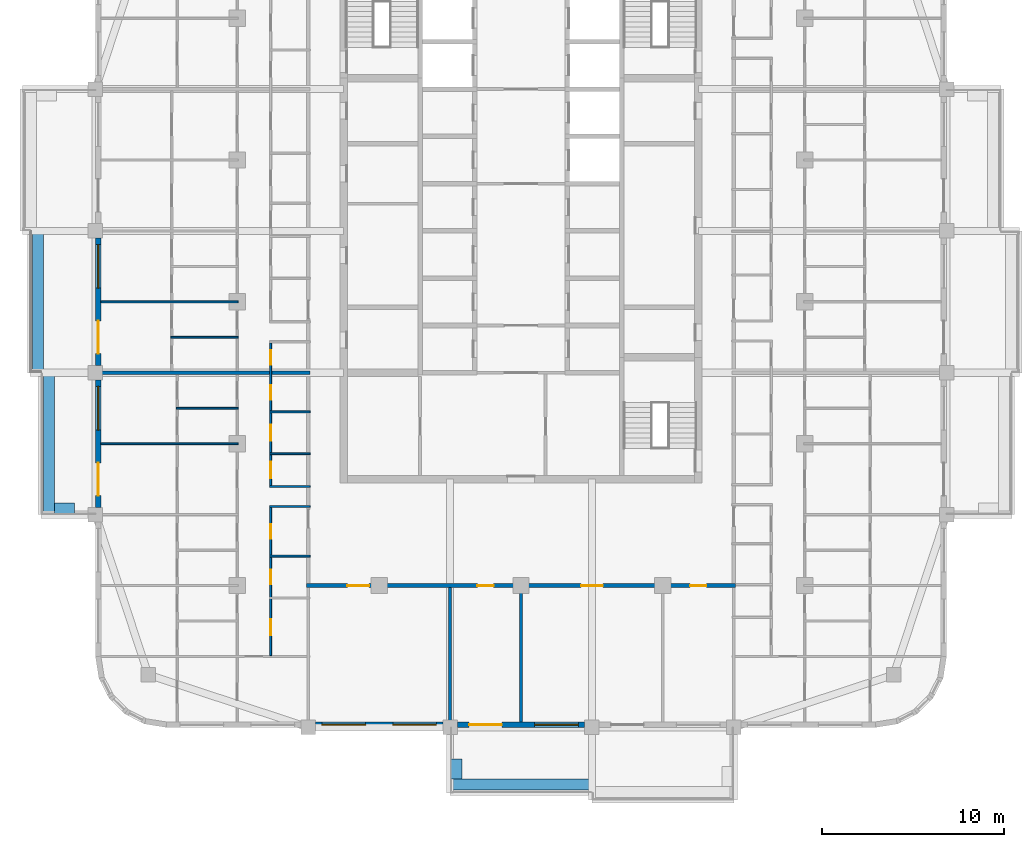
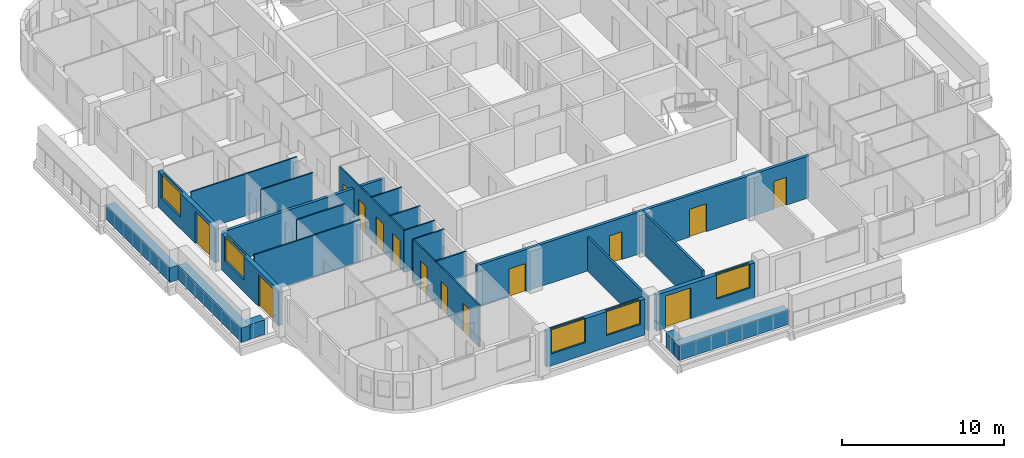
# One storey, part 3 of 16: 24 walls, 14 doors, 5 windows, 19 openings.
"""IFC4 building model written with IfcOpenShell, lengths in metres."""

from ifc_helpers import new_model, si_unit, direction, frame, frame_2d, origin, place, context, subcontext, project, spatial, rectangle, extrude, material, layer, layer_set, type_object, element, fill, save


model = new_model("IFC4")

# Units and contexts
model_context = context("Model", 3, precision=1e-05, world=origin(), true_north=direction((0.0, 1.0)))
body_context = subcontext(model_context, "Body", "Model", "MODEL_VIEW")
ifc_project = project(units=[si_unit("LENGTHUNIT", "METRE"), si_unit("AREAUNIT", "SQUARE_METRE"), si_unit("VOLUMEUNIT", "CUBIC_METRE"), si_unit("PLANEANGLEUNIT", "RADIAN"), si_unit("MASSUNIT", "GRAM", prefix="KILO")], contexts=[model_context])

# Site, building, storey
site_placement = place(None, origin())
site = spatial("IfcSite", under=ifc_project, at=site_placement, CompositionType="ELEMENT")
building_placement = place(site_placement, origin())
building = spatial("IfcBuilding", under=site, at=building_placement, Name="Ludao Terraces", CompositionType="ELEMENT")
storey_placement = place(building_placement, frame((0.0, 0.0, 234.699951171875)))
storey = spatial("IfcBuildingStorey", under=building, at=storey_placement, Name="L64", CompositionType="ELEMENT", Elevation=234.699951171875)

# Walls
ifc_material_1 = material(Name="Concrete C40", Category="concrete")
ifc_layer_1 = layer(ifc_material_1, 0.60009765625)
ifc_layer_set_1 = layer_set([ifc_layer_1], Name="ENV Planter trough 600")
wall_type_1 = type_object("IfcWallType", Name="ENV Planter trough 600", PredefinedType="USERDEFINED", material=ifc_layer_set_1)
wall_1_placement = place(storey_placement, frame((81.10009765625, 38.449951171875, 0.0), z_axis=(0.0, 0.0, 1.0), x_axis=(1.0, 0.0, 0.0)))
element("IfcWall", 1, at=wall_1_placement, inside=storey, type_object=wall_type_1, Name="PL-L64-S2", ObjectType="PLANTER", PredefinedType="USERDEFINED", context=body_context, shape_type="SweptSolid", body=[
    extrude(rectangle(XDim=7.7998046875, YDim=0.60009765625, at=frame_2d((3.89990234375, 0.0))), origin(), (0.0, 0.0, 1.0), 1.10009765625),
])
wall_2_placement = place(storey_placement, frame((81.449951171875, 38.75, 0.0), z_axis=(0.0, 0.0, 1.0), x_axis=(0.0, 1.0, 0.0)))
element("IfcWall", 2, at=wall_2_placement, inside=storey, type_object=wall_type_1, Name="PL-L64-S2-SA", ObjectType="PLANTER", PredefinedType="USERDEFINED", context=body_context, shape_type="SweptSolid", body=[
    extrude(rectangle(XDim=1.10009765625, YDim=0.60009765625, at=frame_2d((0.550048828125, 0.0))), origin(), (0.0, 0.0, 1.0), 1.10009765625),
])
wall_3_placement = place(storey_placement, frame((59.050048828125, 53.300048828125, 0.0), z_axis=(0.0, 0.0, 1.0), x_axis=(0.0, 1.0, 0.0)))
element("IfcWall", 3, at=wall_3_placement, inside=storey, type_object=wall_type_1, Name="PL-L64-W1", ObjectType="PLANTER", PredefinedType="USERDEFINED", context=body_context, shape_type="SweptSolid", body=[
    extrude(rectangle(XDim=7.800048828125, YDim=0.60009765625, at=frame_2d((3.89990234375, 0.0))), origin(), (0.0, 0.0, 1.0), 1.10009765625),
])
wall_4_placement = place(storey_placement, frame((59.35009765625, 53.64990234375, 0.0), z_axis=(0.0, 0.0, 1.0), x_axis=(1.0, 0.0, 0.0)))
element("IfcWall", 4, at=wall_4_placement, inside=storey, type_object=wall_type_1, Name="PL-L64-W1-SA", ObjectType="PLANTER", PredefinedType="USERDEFINED", context=body_context, shape_type="SweptSolid", body=[
    extrude(rectangle(XDim=1.099853515625, YDim=0.60009765625, at=frame_2d((0.5498046875, 0.0))), origin(), (0.0, 0.0, 1.0), 1.10009765625),
])
wall_5_placement = place(storey_placement, frame((58.449951171875, 61.10009765625, 0.0), z_axis=(0.0, 0.0, 1.0), x_axis=(0.0, 1.0, 0.0)))
element("IfcWall", 5, at=wall_5_placement, inside=storey, type_object=wall_type_1, Name="PL-L64-W2", ObjectType="PLANTER", PredefinedType="USERDEFINED", context=body_context, shape_type="SweptSolid", body=[
    extrude(rectangle(XDim=7.7998046875, YDim=0.60009765625, at=frame_2d((3.89990234375, 0.0))), origin(), (0.0, 0.0, 1.0), 1.10009765625),
])

# Wall, openings, windows
ifc_material_2 = material(Name="Granite cladding", Category="masonry")
ifc_layer_2 = layer(ifc_material_2, 0.0400390625, Category="stone")
ifc_material_3 = material(Name="Mineral wool")
ifc_layer_3 = layer(ifc_material_3, 0.06005859375)
ifc_layer_4 = layer(ifc_material_1, 0.199951171875, Category="concrete")
ifc_layer_set_2 = layer_set([ifc_layer_2, ifc_layer_3, ifc_layer_4], Name="ENV Stone-clad wall 300")
wall_type_2 = type_object("IfcWallType", Name="ENV Stone-clad wall 300", PredefinedType="SOLIDWALL", material=ifc_layer_set_2)
wall_6_placement = place(storey_placement, frame((73.699951171875, 41.75, 0.0), z_axis=(0.0, 0.0, 1.0), x_axis=(1.0, 0.0, 0.0)))
wall_6 = element("IfcWall", 6, at=wall_6_placement, inside=storey, type_object=wall_type_2, Name="EW-L64-S2", PredefinedType="SOLIDWALL", context=body_context, shape_type="SweptSolid", body=[
    extrude(rectangle(XDim=7.0, YDim=0.300048828125, at=frame_2d((3.5, 0.0))), origin(), (0.0, 0.0, 1.0), 2.699951171875),
])
opening_1_placement = place(wall_6_placement, frame((0.35009765625, 0.0, 0.89990234375)))
opening_1 = element("IfcOpeningElement", 7, at=opening_1_placement, cuts=wall_6, Name="Opening W1", PredefinedType="OPENING", context=body_context, shape_type="SweptSolid", body=[
    extrude(rectangle(XDim=2.39990234375, YDim=1.800048828125, at=frame_2d((1.199951171875, 0.89990234375))), frame((0.0, 0.16015625, 0.0), z_axis=(0.0, -1.0, 0.0), x_axis=(1.0, 0.0, 0.0)), (0.0, 0.0, 1.0), 0.320068359375),
])
opening_2_placement = place(wall_6_placement, frame((4.25, 0.0, 0.89990234375)))
opening_2 = element("IfcOpeningElement", 8, at=opening_2_placement, cuts=wall_6, Name="Opening W1", PredefinedType="OPENING", context=body_context, shape_type="SweptSolid", body=[
    extrude(rectangle(XDim=2.39990234375, YDim=1.800048828125, at=frame_2d((1.199951171875, 0.89990234375))), frame((0.0, 0.16015625, 0.0), z_axis=(0.0, -1.0, 0.0), x_axis=(1.0, 0.0, 0.0)), (0.0, 0.0, 1.0), 0.320068359375),
])
ifc_material_4 = material(Name="Clear glass in aluminium frame", Category="aluminium")
ifc_layer_5 = layer(ifc_material_4, 0.06005859375)
ifc_layer_set_3 = layer_set([ifc_layer_5], Name="ENV Window W1 2400x1800")
window_type = type_object("IfcWindowType", Name="ENV Window W1 2400x1800", PartitioningType="DOUBLE_PANEL_VERTICAL", PredefinedType="WINDOW", material=ifc_layer_set_3)
window_1_placement = place(opening_1_placement, origin())
window_1 = element("IfcWindow", 9, at=window_1_placement, inside=storey, type_object=window_type, Name="W-L64-S2-1", OverallHeight=1.800048828125, OverallWidth=2.39990234375, PartitioningType="DOUBLE_PANEL_VERTICAL", PredefinedType="WINDOW", context=body_context, shape_type="SweptSolid", body=[
    extrude(rectangle(XDim=2.39990234375, YDim=1.800048828125, at=frame_2d((1.199951171875, 0.89990234375))), frame((0.0, 0.030029296875, 0.0), z_axis=(0.0, -1.0, 0.0), x_axis=(1.0, 0.0, 0.0)), (0.0, 0.0, 1.0), 0.06005859375),
])
fill(opening_1, window_1)
window_2_placement = place(opening_2_placement, origin())
window_2 = element("IfcWindow", 10, at=window_2_placement, inside=storey, type_object=window_type, Name="W-L64-S2-2", OverallHeight=1.800048828125, OverallWidth=2.39990234375, PartitioningType="DOUBLE_PANEL_VERTICAL", PredefinedType="WINDOW", context=body_context, shape_type="SweptSolid", body=[
    extrude(rectangle(XDim=2.39990234375, YDim=1.800048828125, at=frame_2d((1.199951171875, 0.89990234375))), frame((0.0, 0.030029296875, 0.0), z_axis=(0.0, -1.0, 0.0), x_axis=(1.0, 0.0, 0.0)), (0.0, 0.0, 1.0), 0.06005859375),
])
fill(opening_2, window_2)

# Wall, openings, door, window
wall_7_placement = place(storey_placement, frame((81.5, 41.75, 0.0), z_axis=(0.0, 0.0, 1.0), x_axis=(1.0, 0.0, 0.0)))
wall_7 = element("IfcWall", 11, at=wall_7_placement, inside=storey, type_object=wall_type_2, Name="EW-L64-S3", PredefinedType="SOLIDWALL", context=body_context, shape_type="SweptSolid", body=[
    extrude(rectangle(XDim=7.0, YDim=0.300048828125, at=frame_2d((3.5, 0.0))), origin(), (0.0, 0.0, 1.0), 2.699951171875),
])
opening_3_placement = place(wall_7_placement, frame((0.64990234375, 0.0, 0.0)))
opening_3 = element("IfcOpeningElement", 12, at=opening_3_placement, cuts=wall_7, Name="Opening BD", PredefinedType="OPENING", context=body_context, shape_type="SweptSolid", body=[
    extrude(rectangle(XDim=1.800048828125, YDim=2.39990234375, at=frame_2d((0.89990234375, 1.199951171875))), frame((0.0, 0.16015625, 0.0), z_axis=(0.0, -1.0, 0.0), x_axis=(1.0, 0.0, 0.0)), (0.0, 0.0, 1.0), 0.320068359375),
])
opening_4_placement = place(wall_7_placement, frame((4.25, 0.0, 0.89990234375)))
opening_4 = element("IfcOpeningElement", 13, at=opening_4_placement, cuts=wall_7, Name="Opening W1", PredefinedType="OPENING", context=body_context, shape_type="SweptSolid", body=[
    extrude(rectangle(XDim=2.39990234375, YDim=1.800048828125, at=frame_2d((1.199951171875, 0.89990234375))), frame((0.0, 0.16015625, 0.0), z_axis=(0.0, -1.0, 0.0), x_axis=(1.0, 0.0, 0.0)), (0.0, 0.0, 1.0), 0.320068359375),
])
ifc_material_5 = material(Name="Aluminium glazed door", Category="aluminium")
ifc_layer_6 = layer(ifc_material_5, 0.06005859375)
ifc_layer_set_4 = layer_set([ifc_layer_6], Name="ENV Balcony door BD 1800x2400")
door_type_1 = type_object("IfcDoorType", Name="ENV Balcony door BD 1800x2400", OperationType="DOUBLE_DOOR_SINGLE_SWING", PredefinedType="DOOR", material=ifc_layer_set_4)
door_1_placement = place(opening_3_placement, origin())
door_1 = element("IfcDoor", 14, at=door_1_placement, inside=storey, type_object=door_type_1, Name="BD-L64-S3-1", OperationType="DOUBLE_DOOR_SINGLE_SWING", OverallHeight=2.39990234375, OverallWidth=1.800048828125, PredefinedType="DOOR", context=body_context, shape_type="SweptSolid", body=[
    extrude(rectangle(XDim=1.800048828125, YDim=2.39990234375, at=frame_2d((0.89990234375, 1.199951171875))), frame((0.0, 0.02490234375, 0.0), z_axis=(0.0, -1.0, 0.0), x_axis=(1.0, 0.0, 0.0)), (0.0, 0.0, 1.0), 0.050048828125),
])
fill(opening_3, door_1)
window_3_placement = place(opening_4_placement, origin())
window_3 = element("IfcWindow", 15, at=window_3_placement, inside=storey, type_object=window_type, Name="W-L64-S3-2", OverallHeight=1.800048828125, OverallWidth=2.39990234375, PartitioningType="DOUBLE_PANEL_VERTICAL", PredefinedType="WINDOW", context=body_context, shape_type="SweptSolid", body=[
    extrude(rectangle(XDim=2.39990234375, YDim=1.800048828125, at=frame_2d((1.199951171875, 0.89990234375))), frame((0.0, 0.030029296875, 0.0), z_axis=(0.0, -1.0, 0.0), x_axis=(1.0, 0.0, 0.0)), (0.0, 0.0, 1.0), 0.06005859375),
])
fill(opening_4, window_3)

wall_8_placement = place(storey_placement, frame((61.75, 53.699951171875, 0.0), z_axis=(0.0, 0.0, 1.0), x_axis=(0.0, 1.0, 0.0)))
wall_8 = element("IfcWall", 16, at=wall_8_placement, inside=storey, type_object=wall_type_2, Name="EW-L64-W2", PredefinedType="SOLIDWALL", context=body_context, shape_type="SweptSolid", body=[
    extrude(rectangle(XDim=7.0, YDim=0.300048828125, at=frame_2d((3.5, 0.0))), origin(), (0.0, 0.0, 1.0), 2.699951171875),
])
opening_5_placement = place(wall_8_placement, frame((0.64990234375, 0.0, 0.0)))
opening_5 = element("IfcOpeningElement", 17, at=opening_5_placement, cuts=wall_8, Name="Opening BD", PredefinedType="OPENING", context=body_context, shape_type="SweptSolid", body=[
    extrude(rectangle(XDim=1.800048828125, YDim=2.39990234375, at=frame_2d((0.89990234375, 1.199951171875))), frame((0.0, 0.16015625, 0.0), z_axis=(0.0, -1.0, 0.0), x_axis=(1.0, 0.0, 0.0)), (0.0, 0.0, 1.0), 0.320068359375),
])
opening_6_placement = place(wall_8_placement, frame((4.25, 0.0, 0.89990234375)))
opening_6 = element("IfcOpeningElement", 18, at=opening_6_placement, cuts=wall_8, Name="Opening W1", PredefinedType="OPENING", context=body_context, shape_type="SweptSolid", body=[
    extrude(rectangle(XDim=2.39990234375, YDim=1.800048828125, at=frame_2d((1.199951171875, 0.89990234375))), frame((0.0, 0.16015625, 0.0), z_axis=(0.0, -1.0, 0.0), x_axis=(1.0, 0.0, 0.0)), (0.0, 0.0, 1.0), 0.320068359375),
])
door_2_placement = place(opening_5_placement, origin())
door_2 = element("IfcDoor", 19, at=door_2_placement, inside=storey, type_object=door_type_1, Name="BD-L64-W2-1", OperationType="DOUBLE_DOOR_SINGLE_SWING", OverallHeight=2.39990234375, OverallWidth=1.800048828125, PredefinedType="DOOR", context=body_context, shape_type="SweptSolid", body=[
    extrude(rectangle(XDim=1.800048828125, YDim=2.39990234375, at=frame_2d((0.89990234375, 1.199951171875))), frame((0.0, 0.02490234375, 0.0), z_axis=(0.0, -1.0, 0.0), x_axis=(1.0, 0.0, 0.0)), (0.0, 0.0, 1.0), 0.050048828125),
])
fill(opening_5, door_2)
window_4_placement = place(opening_6_placement, origin())
window_4 = element("IfcWindow", 20, at=window_4_placement, inside=storey, type_object=window_type, Name="W-L64-W2-2", OverallHeight=1.800048828125, OverallWidth=2.39990234375, PartitioningType="DOUBLE_PANEL_VERTICAL", PredefinedType="WINDOW", context=body_context, shape_type="SweptSolid", body=[
    extrude(rectangle(XDim=2.39990234375, YDim=1.800048828125, at=frame_2d((1.199951171875, 0.89990234375))), frame((0.0, 0.030029296875, 0.0), z_axis=(0.0, -1.0, 0.0), x_axis=(1.0, 0.0, 0.0)), (0.0, 0.0, 1.0), 0.06005859375),
])
fill(opening_6, window_4)

wall_9_placement = place(storey_placement, frame((61.75, 61.5, 0.0), z_axis=(0.0, 0.0, 1.0), x_axis=(0.0, 1.0, 0.0)))
wall_9 = element("IfcWall", 21, at=wall_9_placement, inside=storey, type_object=wall_type_2, Name="EW-L64-W3", PredefinedType="SOLIDWALL", context=body_context, shape_type="SweptSolid", body=[
    extrude(rectangle(XDim=7.0, YDim=0.300048828125, at=frame_2d((3.5, 0.0))), origin(), (0.0, 0.0, 1.0), 2.699951171875),
])
opening_7_placement = place(wall_9_placement, frame((0.64990234375, 0.0, 0.0)))
opening_7 = element("IfcOpeningElement", 22, at=opening_7_placement, cuts=wall_9, Name="Opening BD", PredefinedType="OPENING", context=body_context, shape_type="SweptSolid", body=[
    extrude(rectangle(XDim=1.800048828125, YDim=2.39990234375, at=frame_2d((0.89990234375, 1.199951171875))), frame((0.0, 0.16015625, 0.0), z_axis=(0.0, -1.0, 0.0), x_axis=(1.0, 0.0, 0.0)), (0.0, 0.0, 1.0), 0.320068359375),
])
opening_8_placement = place(wall_9_placement, frame((4.25, 0.0, 0.89990234375)))
opening_8 = element("IfcOpeningElement", 23, at=opening_8_placement, cuts=wall_9, Name="Opening W1", PredefinedType="OPENING", context=body_context, shape_type="SweptSolid", body=[
    extrude(rectangle(XDim=2.39990234375, YDim=1.800048828125, at=frame_2d((1.199951171875, 0.89990234375))), frame((0.0, 0.16015625, 0.0), z_axis=(0.0, -1.0, 0.0), x_axis=(1.0, 0.0, 0.0)), (0.0, 0.0, 1.0), 0.320068359375),
])
door_3_placement = place(opening_7_placement, origin())
door_3 = element("IfcDoor", 24, at=door_3_placement, inside=storey, type_object=door_type_1, Name="BD-L64-W3-1", OperationType="DOUBLE_DOOR_SINGLE_SWING", OverallHeight=2.39990234375, OverallWidth=1.800048828125, PredefinedType="DOOR", context=body_context, shape_type="SweptSolid", body=[
    extrude(rectangle(XDim=1.800048828125, YDim=2.39990234375, at=frame_2d((0.89990234375, 1.199951171875))), frame((0.0, 0.02490234375, 0.0), z_axis=(0.0, -1.0, 0.0), x_axis=(1.0, 0.0, 0.0)), (0.0, 0.0, 1.0), 0.050048828125),
])
fill(opening_7, door_3)
window_5_placement = place(opening_8_placement, origin())
window_5 = element("IfcWindow", 25, at=window_5_placement, inside=storey, type_object=window_type, Name="W-L64-W3-2", OverallHeight=1.800048828125, OverallWidth=2.39990234375, PartitioningType="DOUBLE_PANEL_VERTICAL", PredefinedType="WINDOW", context=body_context, shape_type="SweptSolid", body=[
    extrude(rectangle(XDim=2.39990234375, YDim=1.800048828125, at=frame_2d((1.199951171875, 0.89990234375))), frame((0.0, 0.030029296875, 0.0), z_axis=(0.0, -1.0, 0.0), x_axis=(1.0, 0.0, 0.0)), (0.0, 0.0, 1.0), 0.06005859375),
])
fill(opening_8, window_5)

# Wall, openings, doors
ifc_material_6 = material(Name="Autoclaved aerated concrete block B06 A3.5", Category="concrete")
ifc_layer_7 = layer(ifc_material_6, 0.199951171875)
ifc_layer_set_5 = layer_set([ifc_layer_7], Name="INT Entrance wall 200")
wall_type_3 = type_object("IfcWallType", Name="INT Entrance wall 200", PredefinedType="PARTITIONING", material=ifc_layer_set_5)
wall_10_placement = place(storey_placement, frame((73.2001953125, 49.39990234375, 0.0), z_axis=(0.0, 0.0, 1.0), x_axis=(1.0, 0.0, 0.0)))
wall_10 = element("IfcWall", 26, at=wall_10_placement, inside=storey, type_object=wall_type_3, Name="PW-L64-PW007", PredefinedType="PARTITIONING", context=body_context, shape_type="SweptSolid", body=[
    extrude(rectangle(XDim=23.599853515625, YDim=0.199951171875, at=frame_2d((11.7998046875, 0.0))), origin(), (0.0, 0.0, 1.0), 3.150146484375),
])
opening_9_placement = place(wall_10_placement, frame((2.25, 0.0, 0.0)))
opening_9 = element("IfcOpeningElement", 27, at=opening_9_placement, cuts=wall_10, Name="Opening R23-016", PredefinedType="OPENING", context=body_context, shape_type="SweptSolid", body=[
    extrude(rectangle(XDim=1.199951171875, YDim=2.10009765625, at=frame_2d((0.60009765625, 1.050048828125))), frame((0.0, 0.10986328125, 0.0), z_axis=(0.0, -1.0, 0.0), x_axis=(1.0, 0.0, 0.0)), (0.0, 0.0, 1.0), 0.219970703125),
])
opening_10_placement = place(wall_10_placement, frame((9.39990234375, 0.0, 0.0)))
opening_10 = element("IfcOpeningElement", 28, at=opening_10_placement, cuts=wall_10, Name="Opening R23-017", PredefinedType="OPENING", context=body_context, shape_type="SweptSolid", body=[
    extrude(rectangle(XDim=0.89990234375, YDim=2.10009765625, at=frame_2d((0.449951171875, 1.050048828125))), frame((0.0, 0.10986328125, 0.0), z_axis=(0.0, -1.0, 0.0), x_axis=(1.0, 0.0, 0.0)), (0.0, 0.0, 1.0), 0.219970703125),
])
opening_11_placement = place(wall_10_placement, frame((15.099853515625, 0.0, 0.0)))
opening_11 = element("IfcOpeningElement", 29, at=opening_11_placement, cuts=wall_10, Name="Opening R23-018", PredefinedType="OPENING", context=body_context, shape_type="SweptSolid", body=[
    extrude(rectangle(XDim=1.199951171875, YDim=2.10009765625, at=frame_2d((0.60009765625, 1.050048828125))), frame((0.0, 0.10986328125, 0.0), z_axis=(0.0, -1.0, 0.0), x_axis=(1.0, 0.0, 0.0)), (0.0, 0.0, 1.0), 0.219970703125),
])
opening_12_placement = place(wall_10_placement, frame((21.099853515625, 0.0, 0.0)))
opening_12 = element("IfcOpeningElement", 30, at=opening_12_placement, cuts=wall_10, Name="Opening R23-019", PredefinedType="OPENING", context=body_context, shape_type="SweptSolid", body=[
    extrude(rectangle(XDim=0.89990234375, YDim=2.10009765625, at=frame_2d((0.449951171875, 1.050048828125))), frame((0.0, 0.10986328125, 0.0), z_axis=(0.0, -1.0, 0.0), x_axis=(1.0, 0.0, 0.0)), (0.0, 0.0, 1.0), 0.219970703125),
])
ifc_material_7 = material(Name="Timber door leaf", Category="wood")
door_type_2 = type_object("IfcDoorType", Name="INT Double door 1200", OperationType="DOUBLE_DOOR_SINGLE_SWING", PredefinedType="DOOR", material=ifc_material_7)
door_4_placement = place(opening_9_placement, origin())
door_4 = element("IfcDoor", 31, at=door_4_placement, inside=storey, type_object=door_type_2, Name="DOOR 016", OperationType="DOUBLE_DOOR_SINGLE_SWING", OverallHeight=2.10009765625, OverallWidth=1.199951171875, PredefinedType="DOOR", context=body_context, shape_type="SweptSolid", body=[
    extrude(rectangle(XDim=1.199951171875, YDim=2.10009765625, at=frame_2d((0.60009765625, 1.050048828125))), frame((0.0, 0.02490234375, 0.0), z_axis=(0.0, -1.0, 0.0), x_axis=(1.0, 0.0, 0.0)), (0.0, 0.0, 1.0), 0.050048828125),
])
fill(opening_9, door_4)
door_5_placement = place(opening_11_placement, origin())
door_5 = element("IfcDoor", 32, at=door_5_placement, inside=storey, type_object=door_type_2, Name="DOOR 018", OperationType="DOUBLE_DOOR_SINGLE_SWING", OverallHeight=2.10009765625, OverallWidth=1.199951171875, PredefinedType="DOOR", context=body_context, shape_type="SweptSolid", body=[
    extrude(rectangle(XDim=1.199951171875, YDim=2.10009765625, at=frame_2d((0.60009765625, 1.050048828125))), frame((0.0, 0.02490234375, 0.0), z_axis=(0.0, -1.0, 0.0), x_axis=(1.0, 0.0, 0.0)), (0.0, 0.0, 1.0), 0.050048828125),
])
fill(opening_11, door_5)
door_type_3 = type_object("IfcDoorType", Name="INT Room door 900", OperationType="SINGLE_SWING_LEFT", PredefinedType="DOOR", material=ifc_material_7)
door_6_placement = place(opening_10_placement, origin())
door_6 = element("IfcDoor", 33, at=door_6_placement, inside=storey, type_object=door_type_3, Name="DOOR 017", OperationType="SINGLE_SWING_LEFT", OverallHeight=2.10009765625, OverallWidth=0.89990234375, PredefinedType="DOOR", context=body_context, shape_type="SweptSolid", body=[
    extrude(rectangle(XDim=0.89990234375, YDim=2.10009765625, at=frame_2d((0.449951171875, 1.050048828125))), frame((0.0, 0.02490234375, 0.0), z_axis=(0.0, -1.0, 0.0), x_axis=(1.0, 0.0, 0.0)), (0.0, 0.0, 1.0), 0.050048828125),
])
fill(opening_10, door_6)
door_7_placement = place(opening_12_placement, origin())
door_7 = element("IfcDoor", 34, at=door_7_placement, inside=storey, type_object=door_type_3, Name="DOOR 019", OperationType="SINGLE_SWING_LEFT", OverallHeight=2.10009765625, OverallWidth=0.89990234375, PredefinedType="DOOR", context=body_context, shape_type="SweptSolid", body=[
    extrude(rectangle(XDim=0.89990234375, YDim=2.10009765625, at=frame_2d((0.449951171875, 1.050048828125))), frame((0.0, 0.02490234375, 0.0), z_axis=(0.0, -1.0, 0.0), x_axis=(1.0, 0.0, 0.0)), (0.0, 0.0, 1.0), 0.050048828125),
])
fill(opening_12, door_7)

# Walls
ifc_material_8 = material(Name="Gypsum plasterboard", Category="gypsum")
ifc_layer_8 = layer(ifc_material_8, 0.012451171875, Category="gypsum")
ifc_layer_9 = layer(ifc_material_3, 0.06005859375, Name="insulation")
ifc_material_9 = material(Name="Steel Q235", Category="steel")
ifc_layer_10 = layer(ifc_material_9, 0.014892578125, Name="stud")
ifc_layer_11 = layer(ifc_material_8, 0.012451171875, Category="gypsum")
ifc_layer_set_6 = layer_set([ifc_layer_8, ifc_layer_9, ifc_layer_10, ifc_layer_11], Name="INT Partition 100")
wall_type_4 = type_object("IfcWallType", Name="INT Partition 100", PredefinedType="PARTITIONING", material=ifc_layer_set_6)
for number, where, z_axis, x_axis, name in (
    (35, (71.18017578125, 51.02001953125, 0.0), (0.0, 0.0, 1.0), (1.0, 0.0, 0.0), "PW-L64-PW010"),
    (36, (71.18017578125, 53.75, 0.0), (0.0, 0.0, 1.0), (1.0, 0.0, 0.0), "PW-L64-PW016"),
    (37, (71.18017578125, 54.85009765625, 0.0), (0.0, 0.0, 1.0), (1.0, 0.0, 0.0), "PW-L64-PW018"),
    (38, (71.18017578125, 56.64990234375, 0.0), (0.0, 0.0, 1.0), (1.0, 0.0, 0.0), "PW-L64-PW020"),
):
    element("IfcWall", number, at=place(storey_placement, frame(where, z_axis=z_axis, x_axis=x_axis)), inside=storey, type_object=wall_type_4, Name=name, PredefinedType="PARTITIONING", context=body_context, shape_type="SweptSolid", body=[
        extrude(rectangle(XDim=2.219970703125, YDim=0.10009765625, at=frame_2d((1.10986328125, 0.0))), origin(), (0.0, 0.0, 1.0), 3.150146484375),
    ])
wall_11_placement = place(storey_placement, frame((61.900146484375, 57.199951171875, 0.0), z_axis=(0.0, 0.0, 1.0), x_axis=(1.0, 0.0, 0.0)))
element("IfcWall", 39, at=wall_11_placement, inside=storey, type_object=wall_type_4, Name="PW-L64-PW021", PredefinedType="PARTITIONING", context=body_context, shape_type="SweptSolid", body=[
    extrude(rectangle(XDim=7.550048828125, YDim=0.10009765625, at=frame_2d((3.77490234375, 0.0))), origin(), (0.0, 0.0, 1.0), 3.150146484375),
])
wall_12_placement = place(storey_placement, frame((71.18017578125, 58.949951171875, 0.0), z_axis=(0.0, 0.0, 1.0), x_axis=(1.0, 0.0, 0.0)))
element("IfcWall", 40, at=wall_12_placement, inside=storey, type_object=wall_type_4, Name="PW-L64-PW024", PredefinedType="PARTITIONING", context=body_context, shape_type="SweptSolid", body=[
    extrude(rectangle(XDim=2.219970703125, YDim=0.10009765625, at=frame_2d((1.10986328125, 0.0))), origin(), (0.0, 0.0, 1.0), 3.150146484375),
])
wall_13_placement = place(storey_placement, frame((66.050048828125, 59.14990234375, 0.0), z_axis=(0.0, 0.0, 1.0), x_axis=(1.0, 0.0, 0.0)))
element("IfcWall", 41, at=wall_13_placement, inside=storey, type_object=wall_type_4, Name="PW-L64-PW025", PredefinedType="PARTITIONING", context=body_context, shape_type="SweptSolid", body=[
    extrude(rectangle(XDim=3.400146484375, YDim=0.10009765625, at=frame_2d((1.7001953125, 0.0))), origin(), (0.0, 0.0, 1.0), 3.150146484375),
])
wall_14_placement = place(storey_placement, frame((65.75, 63.050048828125, 0.0), z_axis=(0.0, 0.0, 1.0), x_axis=(1.0, 0.0, 0.0)))
element("IfcWall", 42, at=wall_14_placement, inside=storey, type_object=wall_type_4, Name="PW-L64-PW032", PredefinedType="PARTITIONING", context=body_context, shape_type="SweptSolid", body=[
    extrude(rectangle(XDim=3.7001953125, YDim=0.10009765625, at=frame_2d((1.85009765625, 0.0))), origin(), (0.0, 0.0, 1.0), 3.150146484375),
])
wall_15_placement = place(storey_placement, frame((61.900146484375, 65.0, 0.0), z_axis=(0.0, 0.0, 1.0), x_axis=(1.0, 0.0, 0.0)))
element("IfcWall", 43, at=wall_15_placement, inside=storey, type_object=wall_type_4, Name="PW-L64-PW037", PredefinedType="PARTITIONING", context=body_context, shape_type="SweptSolid", body=[
    extrude(rectangle(XDim=7.550048828125, YDim=0.10009765625, at=frame_2d((3.77490234375, 0.0))), origin(), (0.0, 0.0, 1.0), 3.150146484375),
])

# Wall, openings, doors
wall_16_placement = place(storey_placement, frame((71.22998046875, 45.550048828125, 0.0), z_axis=(0.0, 0.0, 1.0), x_axis=(0.0, 1.0, 0.0)))
wall_16 = element("IfcWall", 44, at=wall_16_placement, inside=storey, type_object=wall_type_4, Name="PW-L64-PW075", PredefinedType="PARTITIONING", context=body_context, shape_type="SweptSolid", body=[
    extrude(rectangle(XDim=8.150146484375, YDim=0.10009765625, at=frame_2d((4.0751953125, 0.0))), origin(), (0.0, 0.0, 1.0), 3.150146484375),
])
opening_13_placement = place(wall_16_placement, frame((1.110107421875, 0.0, 0.0)))
opening_13 = element("IfcOpeningElement", 45, at=opening_13_placement, cuts=wall_16, Name="Opening R23-010", PredefinedType="OPENING", context=body_context, shape_type="SweptSolid", body=[
    extrude(rectangle(XDim=0.89990234375, YDim=2.10009765625, at=frame_2d((0.449951171875, 1.050048828125))), frame((0.0, 0.06005859375, 0.0), z_axis=(0.0, -1.0, 0.0), x_axis=(1.0, 0.0, 0.0)), (0.0, 0.0, 1.0), 0.1201171875),
])
opening_14_placement = place(wall_16_placement, frame((3.919921875, 0.0, 0.0)))
opening_14 = element("IfcOpeningElement", 46, at=opening_14_placement, cuts=wall_16, Name="Opening R23-020", PredefinedType="OPENING", context=body_context, shape_type="SweptSolid", body=[
    extrude(rectangle(XDim=0.800048828125, YDim=2.10009765625, at=frame_2d((0.39990234375, 1.050048828125))), frame((0.0, 0.06005859375, 0.0), z_axis=(0.0, -1.0, 0.0), x_axis=(1.0, 0.0, 0.0)), (0.0, 0.0, 1.0), 0.1201171875),
])
opening_15_placement = place(wall_16_placement, frame((6.43505859375, 0.0, 0.0)))
opening_15 = element("IfcOpeningElement", 47, at=opening_15_placement, cuts=wall_16, Name="Opening R23-028", PredefinedType="OPENING", context=body_context, shape_type="SweptSolid", body=[
    extrude(rectangle(XDim=0.800048828125, YDim=2.10009765625, at=frame_2d((0.39990234375, 1.050048828125))), frame((0.0, 0.06005859375, 0.0), z_axis=(0.0, -1.0, 0.0), x_axis=(1.0, 0.0, 0.0)), (0.0, 0.0, 1.0), 0.1201171875),
])
door_8_placement = place(opening_13_placement, origin())
door_8 = element("IfcDoor", 48, at=door_8_placement, inside=storey, type_object=door_type_3, Name="DOOR 010", OperationType="SINGLE_SWING_RIGHT", OverallHeight=2.10009765625, OverallWidth=0.89990234375, PredefinedType="DOOR", context=body_context, shape_type="SweptSolid", body=[
    extrude(rectangle(XDim=0.89990234375, YDim=2.10009765625, at=frame_2d((0.449951171875, 1.050048828125))), frame((0.0, 0.02490234375, 0.0), z_axis=(0.0, -1.0, 0.0), x_axis=(1.0, 0.0, 0.0)), (0.0, 0.0, 1.0), 0.050048828125),
])
fill(opening_13, door_8)
door_type_4 = type_object("IfcDoorType", Name="INT Store door 800", OperationType="SINGLE_SWING_LEFT", PredefinedType="DOOR", material=ifc_material_7)
door_9_placement = place(opening_14_placement, origin())
door_9 = element("IfcDoor", 49, at=door_9_placement, inside=storey, type_object=door_type_4, Name="DOOR 020", OperationType="SINGLE_SWING_RIGHT", OverallHeight=2.10009765625, OverallWidth=0.800048828125, PredefinedType="DOOR", context=body_context, shape_type="SweptSolid", body=[
    extrude(rectangle(XDim=0.800048828125, YDim=2.10009765625, at=frame_2d((0.39990234375, 1.050048828125))), frame((0.0, 0.02490234375, 0.0), z_axis=(0.0, -1.0, 0.0), x_axis=(1.0, 0.0, 0.0)), (0.0, 0.0, 1.0), 0.050048828125),
])
fill(opening_14, door_9)
door_10_placement = place(opening_15_placement, origin())
door_10 = element("IfcDoor", 50, at=door_10_placement, inside=storey, type_object=door_type_4, Name="DOOR 028", OperationType="SINGLE_SWING_RIGHT", OverallHeight=2.10009765625, OverallWidth=0.800048828125, PredefinedType="DOOR", context=body_context, shape_type="SweptSolid", body=[
    extrude(rectangle(XDim=0.800048828125, YDim=2.10009765625, at=frame_2d((0.39990234375, 1.050048828125))), frame((0.0, 0.02490234375, 0.0), z_axis=(0.0, -1.0, 0.0), x_axis=(1.0, 0.0, 0.0)), (0.0, 0.0, 1.0), 0.050048828125),
])
fill(opening_15, door_10)

wall_17_placement = place(storey_placement, frame((71.22998046875, 54.900146484375, 0.0), z_axis=(0.0, 0.0, 1.0), x_axis=(0.0, 1.0, 0.0)))
wall_17 = element("IfcWall", 51, at=wall_17_placement, inside=storey, type_object=wall_type_4, Name="PW-L64-PW076", PredefinedType="PARTITIONING", context=body_context, shape_type="SweptSolid", body=[
    extrude(rectangle(XDim=7.849853515625, YDim=0.10009765625, at=frame_2d((3.9248046875, 0.0))), origin(), (0.0, 0.0, 1.0), 3.150146484375),
])
opening_16_placement = place(wall_17_placement, frame((0.39990234375, 0.0, 0.0)))
opening_16 = element("IfcOpeningElement", 52, at=opening_16_placement, cuts=wall_17, Name="Opening R23-037", PredefinedType="OPENING", context=body_context, shape_type="SweptSolid", body=[
    extrude(rectangle(XDim=0.89990234375, YDim=2.10009765625, at=frame_2d((0.449951171875, 1.050048828125))), frame((0.0, 0.06005859375, 0.0), z_axis=(0.0, -1.0, 0.0), x_axis=(1.0, 0.0, 0.0)), (0.0, 0.0, 1.0), 0.1201171875),
])
opening_17_placement = place(wall_17_placement, frame((2.449951171875, 0.0, 0.0)))
opening_17 = element("IfcOpeningElement", 53, at=opening_17_placement, cuts=wall_17, Name="Opening R23-040", PredefinedType="OPENING", context=body_context, shape_type="SweptSolid", body=[
    extrude(rectangle(XDim=0.89990234375, YDim=2.10009765625, at=frame_2d((0.449951171875, 1.050048828125))), frame((0.0, 0.06005859375, 0.0), z_axis=(0.0, -1.0, 0.0), x_axis=(1.0, 0.0, 0.0)), (0.0, 0.0, 1.0), 0.1201171875),
])
opening_18_placement = place(wall_17_placement, frame((4.72509765625, 0.0, 0.0)))
opening_18 = element("IfcOpeningElement", 54, at=opening_18_placement, cuts=wall_17, Name="Opening R23-046", PredefinedType="OPENING", context=body_context, shape_type="SweptSolid", body=[
    extrude(rectangle(XDim=0.800048828125, YDim=2.10009765625, at=frame_2d((0.39990234375, 1.050048828125))), frame((0.0, 0.06005859375, 0.0), z_axis=(0.0, -1.0, 0.0), x_axis=(1.0, 0.0, 0.0)), (0.0, 0.0, 1.0), 0.1201171875),
])
opening_19_placement = place(wall_17_placement, frame((6.64990234375, 0.0, 0.0)))
opening_19 = element("IfcOpeningElement", 55, at=opening_19_placement, cuts=wall_17, Name="Opening R23-052", PredefinedType="OPENING", context=body_context, shape_type="SweptSolid", body=[
    extrude(rectangle(XDim=0.800048828125, YDim=2.10009765625, at=frame_2d((0.39990234375, 1.050048828125))), frame((0.0, 0.06005859375, 0.0), z_axis=(0.0, -1.0, 0.0), x_axis=(1.0, 0.0, 0.0)), (0.0, 0.0, 1.0), 0.1201171875),
])
door_type_5 = type_object("IfcDoorType", Name="INT Bathroom door 900", OperationType="SINGLE_SWING_LEFT", PredefinedType="DOOR", material=ifc_material_7)
door_11_placement = place(opening_16_placement, origin())
door_11 = element("IfcDoor", 56, at=door_11_placement, inside=storey, type_object=door_type_5, Name="DOOR 037", OperationType="SINGLE_SWING_RIGHT", OverallHeight=2.10009765625, OverallWidth=0.89990234375, PredefinedType="DOOR", context=body_context, shape_type="SweptSolid", body=[
    extrude(rectangle(XDim=0.89990234375, YDim=2.10009765625, at=frame_2d((0.449951171875, 1.050048828125))), frame((0.0, 0.02490234375, 0.0), z_axis=(0.0, -1.0, 0.0), x_axis=(1.0, 0.0, 0.0)), (0.0, 0.0, 1.0), 0.050048828125),
])
fill(opening_16, door_11)
door_12_placement = place(opening_17_placement, origin())
door_12 = element("IfcDoor", 57, at=door_12_placement, inside=storey, type_object=door_type_5, Name="DOOR 040", OperationType="SINGLE_SWING_RIGHT", OverallHeight=2.10009765625, OverallWidth=0.89990234375, PredefinedType="DOOR", context=body_context, shape_type="SweptSolid", body=[
    extrude(rectangle(XDim=0.89990234375, YDim=2.10009765625, at=frame_2d((0.449951171875, 1.050048828125))), frame((0.0, 0.02490234375, 0.0), z_axis=(0.0, -1.0, 0.0), x_axis=(1.0, 0.0, 0.0)), (0.0, 0.0, 1.0), 0.050048828125),
])
fill(opening_17, door_12)
door_13_placement = place(opening_18_placement, origin())
door_13 = element("IfcDoor", 58, at=door_13_placement, inside=storey, type_object=door_type_4, Name="DOOR 046", OperationType="SINGLE_SWING_LEFT", OverallHeight=2.10009765625, OverallWidth=0.800048828125, PredefinedType="DOOR", context=body_context, shape_type="SweptSolid", body=[
    extrude(rectangle(XDim=0.800048828125, YDim=2.10009765625, at=frame_2d((0.39990234375, 1.050048828125))), frame((0.0, 0.02490234375, 0.0), z_axis=(0.0, -1.0, 0.0), x_axis=(1.0, 0.0, 0.0)), (0.0, 0.0, 1.0), 0.050048828125),
])
fill(opening_18, door_13)
door_14_placement = place(opening_19_placement, origin())
door_14 = element("IfcDoor", 59, at=door_14_placement, inside=storey, type_object=door_type_4, Name="DOOR 052", OperationType="SINGLE_SWING_RIGHT", OverallHeight=2.10009765625, OverallWidth=0.800048828125, PredefinedType="DOOR", context=body_context, shape_type="SweptSolid", body=[
    extrude(rectangle(XDim=0.800048828125, YDim=2.10009765625, at=frame_2d((0.39990234375, 1.050048828125))), frame((0.0, 0.02490234375, 0.0), z_axis=(0.0, -1.0, 0.0), x_axis=(1.0, 0.0, 0.0)), (0.0, 0.0, 1.0), 0.050048828125),
])
fill(opening_19, door_14)

# Walls
ifc_layer_12 = layer(ifc_material_6, 0.14990234375)
ifc_layer_set_7 = layer_set([ifc_layer_12], Name="INT Party wall 150")
wall_type_5 = type_object("IfcWallType", Name="INT Party wall 150", PredefinedType="PARTITIONING", material=ifc_layer_set_7)
wall_18_placement = place(storey_placement, frame((81.10009765625, 41.900146484375, 0.0), z_axis=(0.0, 0.0, 1.0), x_axis=(0.0, 1.0, 0.0)))
element("IfcWall", 60, at=wall_18_placement, inside=storey, type_object=wall_type_5, Name="PW-L64-PW084", PredefinedType="PARTITIONING", context=body_context, shape_type="SweptSolid", body=[
    extrude(rectangle(XDim=7.39990234375, YDim=0.14990234375, at=frame_2d((3.699951171875, 0.0))), origin(), (0.0, 0.0, 1.0), 2.550048828125),
])
wall_19_placement = place(storey_placement, frame((85.0, 41.900146484375, 0.0), z_axis=(0.0, 0.0, 1.0), x_axis=(0.0, 1.0, 0.0)))
element("IfcWall", 61, at=wall_19_placement, inside=storey, type_object=wall_type_5, Name="PW-L64-PW086", PredefinedType="PARTITIONING", context=body_context, shape_type="SweptSolid", body=[
    extrude(rectangle(XDim=7.39990234375, YDim=0.14990234375, at=frame_2d((3.699951171875, 0.0))), origin(), (0.0, 0.0, 1.0), 3.150146484375),
])
ifc_layer_13 = layer(ifc_material_6, 0.199951171875)
ifc_layer_set_8 = layer_set([ifc_layer_13], Name="INT Party wall 200")
wall_type_6 = type_object("IfcWallType", Name="INT Party wall 200", PredefinedType="PARTITIONING", material=ifc_layer_set_8)
wall_20_placement = place(storey_placement, frame((61.900146484375, 61.10009765625, 0.0), z_axis=(0.0, 0.0, 1.0), x_axis=(1.0, 0.0, 0.0)))
element("IfcWall", 62, at=wall_20_placement, inside=storey, type_object=wall_type_6, Name="PW-L64-PW027", PredefinedType="PARTITIONING", context=body_context, shape_type="SweptSolid", body=[
    extrude(rectangle(XDim=11.5, YDim=0.199951171875, at=frame_2d((5.75, 0.0))), origin(), (0.0, 0.0, 1.0), 2.550048828125),
])

save(model, "model.ifc")
